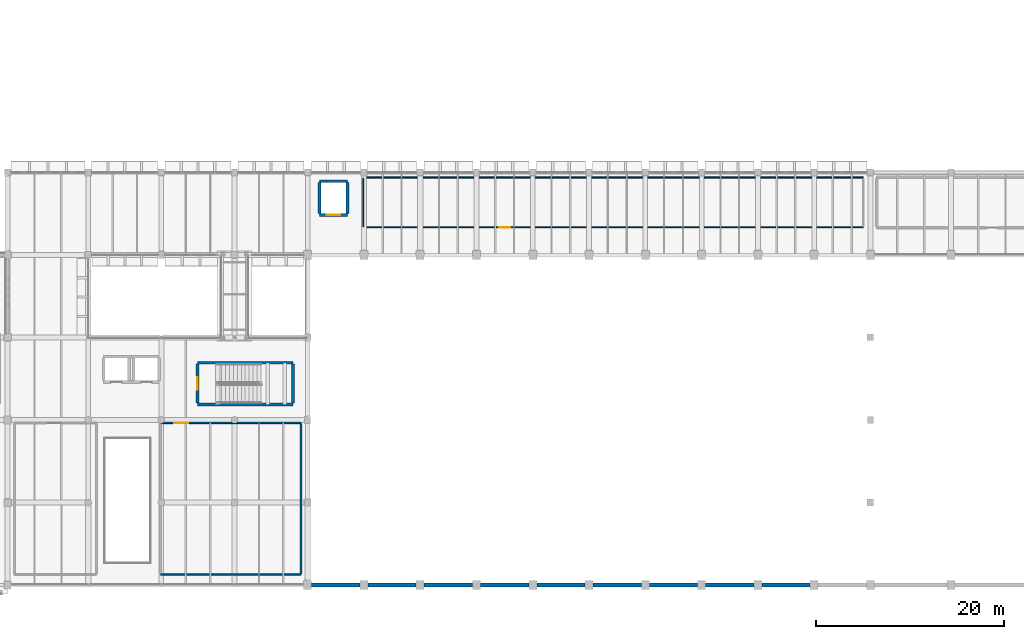
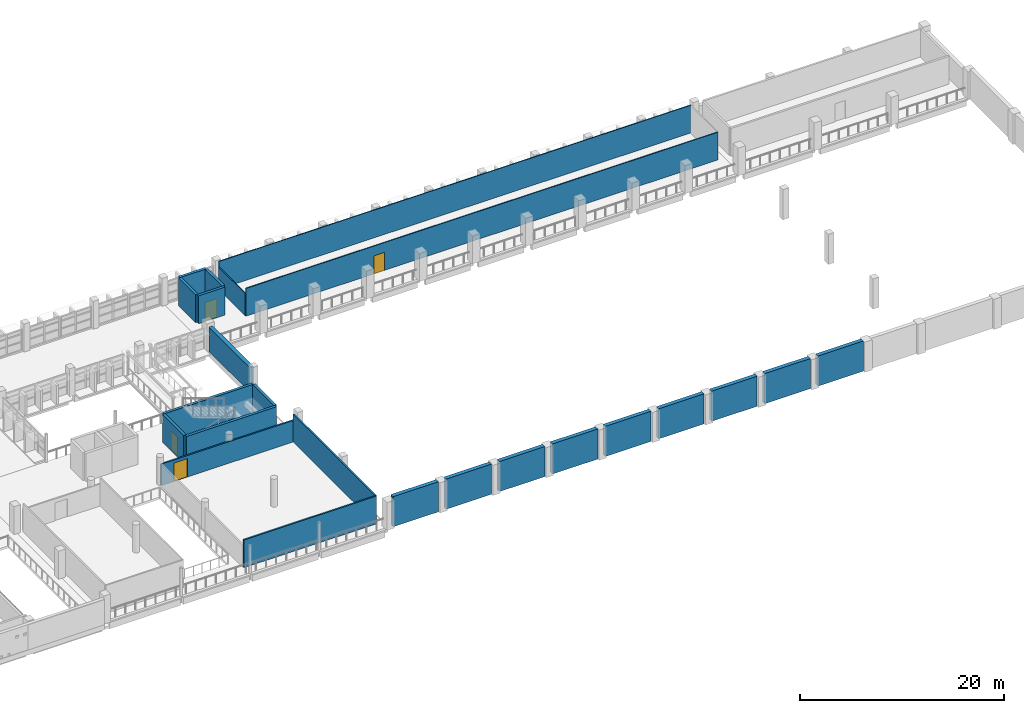
# One storey, part 61 of 75: 24 walls, 4 doors, 4 openings.
"""IFC4 building model written with IfcOpenShell, lengths in metres."""

from ifc_helpers import new_model, si_unit, direction, frame, frame_2d, origin, place, context, subcontext, project, spatial, rectangle, extrude, material, layer, layer_set, type_object, element, fill, save


model = new_model("IFC4")

# Units and contexts
model_context = context("Model", 3, precision=1e-05, world=origin(), true_north=direction((0.0, 1.0)))
body_context = subcontext(model_context, "Body", "Model", "MODEL_VIEW")
ifc_project = project(units=[si_unit("LENGTHUNIT", "METRE"), si_unit("AREAUNIT", "SQUARE_METRE"), si_unit("VOLUMEUNIT", "CUBIC_METRE"), si_unit("PLANEANGLEUNIT", "RADIAN"), si_unit("MASSUNIT", "GRAM", prefix="KILO")], contexts=[model_context])

# Site, building, storey
site_placement = place(None, origin())
site = spatial("IfcSite", under=ifc_project, at=site_placement, CompositionType="ELEMENT")
building_placement = place(site_placement, origin())
building = spatial("IfcBuilding", under=site, at=building_placement, Name="Varnakota Cinema and Media Centre", CompositionType="ELEMENT")
storey_placement = place(building_placement, frame((0.0, 0.0, 8.39990234375)))
storey = spatial("IfcBuildingStorey", under=building, at=storey_placement, Name="L02", CompositionType="ELEMENT", Elevation=8.39990234375)

# Wall
ifc_material_1 = material(Name="Concrete M40", Category="concrete")
ifc_layer_1 = layer(ifc_material_1, 0.300048828125)
ifc_layer_set_1 = layer_set([ifc_layer_1], Name="Concrete M40")
wall_type_1 = type_object("IfcWallType", Name="W-CORE-300", PredefinedType="SHEAR", material=ifc_layer_set_1)
wall_1_placement = place(storey_placement, frame((73.429931640625, 19.25, 0.0), z_axis=(0.0, 0.0, 1.0), x_axis=(-1.0, 0.0, 0.0)))
element("IfcWall", 1, at=wall_1_placement, inside=storey, type_object=wall_type_1, Name="L02 CWALL-ST-04-L02 S wall", PredefinedType="SHEAR", context=body_context, shape_type="SweptSolid", body=[
    extrude(rectangle(XDim=10.179931640625, YDim=0.300048828125, at=frame_2d((5.08984375, 0.0))), origin(), (0.0, 0.0, 1.0), 3.340087890625),
])

# Wall, opening, door
wall_2_placement = place(storey_placement, frame((63.25, 19.39990234375, 0.0), z_axis=(0.0, 0.0, 1.0), x_axis=(0.0, 1.0, 0.0)))
wall_2 = element("IfcWall", 2, at=wall_2_placement, inside=storey, type_object=wall_type_1, Name="L02 CWALL-ST-04-L02 W wall", PredefinedType="SHEAR", context=body_context, shape_type="SweptSolid", body=[
    extrude(rectangle(XDim=4.150146484375, YDim=0.300048828125, at=frame_2d((2.0751953125, 0.0))), origin(), (0.0, 0.0, 1.0), 3.340087890625),
])
opening_1_placement = place(wall_2_placement, frame((1.39990234375, 0.0, 0.0)))
opening_1 = element("IfcOpeningElement", 3, at=opening_1_placement, cuts=wall_2, Name="Opening SD-04", PredefinedType="OPENING", context=body_context, shape_type="SweptSolid", body=[
    extrude(rectangle(XDim=1.35009765625, YDim=2.199951171875, at=frame_2d((0.675048828125, 1.10009765625))), frame((0.0, 0.14990234375, 0.0), z_axis=(0.0, -1.0, 0.0), x_axis=(1.0, 0.0, 0.0)), (0.0, 0.0, 1.0), 0.300048828125),
])
ifc_material_2 = material(Name="Thermally broken anodised aluminium AW-6063", Category="aluminium")
door_type_1 = type_object("IfcDoorType", Name="DR-STAIR-1350x2200", OperationType="NOTDEFINED", PredefinedType="DOOR", material=ifc_material_2)
door_1_placement = place(opening_1_placement, origin())
door_1 = element("IfcDoor", 4, at=door_1_placement, inside=storey, type_object=door_type_1, Name="L02 door SD-04", OperationType="SINGLE_SWING_LEFT", OverallHeight=2.199951171875, OverallWidth=1.35009765625, PredefinedType="DOOR", context=body_context, shape_type="SweptSolid", body=[
    extrude(rectangle(XDim=1.35009765625, YDim=2.199951171875, at=frame_2d((0.675048828125, 1.10009765625))), frame((0.0, 0.02490234375, 0.0), z_axis=(0.0, -1.0, 0.0), x_axis=(1.0, 0.0, 0.0)), (0.0, 0.0, 1.0), 0.050048828125),
])
fill(opening_1, door_1)

# Walls
wall_3_placement = place(storey_placement, frame((63.25, 23.699951171875, 0.0), z_axis=(0.0, 0.0, 1.0), x_axis=(1.0, 0.0, 0.0)))
element("IfcWall", 5, at=wall_3_placement, inside=storey, type_object=wall_type_1, Name="L02 CWALL-ST-04-L02 N wall", PredefinedType="SHEAR", context=body_context, shape_type="SweptSolid", body=[
    extrude(rectangle(XDim=10.179931640625, YDim=0.300048828125, at=frame_2d((5.08984375, 0.0))), origin(), (0.0, 0.0, 1.0), 3.340087890625),
])
wall_4_placement = place(storey_placement, frame((73.429931640625, 23.550048828125, 0.0), z_axis=(0.0, 0.0, 1.0), x_axis=(0.0, -1.0, 0.0)))
element("IfcWall", 6, at=wall_4_placement, inside=storey, type_object=wall_type_1, Name="L02 CWALL-ST-04-L02 E wall", PredefinedType="SHEAR", context=body_context, shape_type="SweptSolid", body=[
    extrude(rectangle(XDim=4.150146484375, YDim=0.300048828125, at=frame_2d((2.0751953125, 0.0))), origin(), (0.0, 0.0, 1.0), 3.340087890625),
])

# Wall, opening, door
wall_5_placement = place(storey_placement, frame((79.25, 39.449951171875, 0.0), z_axis=(0.0, 0.0, 1.0), x_axis=(-1.0, 0.0, 0.0)))
wall_5 = element("IfcWall", 7, at=wall_5_placement, inside=storey, type_object=wall_type_1, Name="L02 LSHAFT-LF-08-L02 S wall", PredefinedType="SHEAR", context=body_context, shape_type="SweptSolid", body=[
    extrude(rectangle(XDim=3.0, YDim=0.300048828125, at=frame_2d((1.5, 0.0))), origin(), (0.0, 0.0, 1.0), 3.340087890625),
])
opening_2_placement = place(wall_5_placement, frame((0.800048828125, 0.0, 0.0)))
opening_2 = element("IfcOpeningElement", 8, at=opening_2_placement, cuts=wall_5, Name="Opening LD-08", PredefinedType="OPENING", context=body_context, shape_type="SweptSolid", body=[
    extrude(rectangle(XDim=1.39990234375, YDim=2.199951171875, at=frame_2d((0.699951171875, 1.10009765625))), frame((0.0, 0.14990234375, 0.0), z_axis=(0.0, -1.0, 0.0), x_axis=(1.0, 0.0, 0.0)), (0.0, 0.0, 1.0), 0.300048828125),
])
ifc_material_3 = material(Name="Thermally broken anodised aluminium AW-6063", Category="aluminium")
door_type_2 = type_object("IfcDoorType", Name="DR-LIFT-1400x2200", OperationType="DOUBLE_DOOR_SLIDING", PredefinedType="DOOR", material=ifc_material_3)
door_2_placement = place(opening_2_placement, origin())
door_2 = element("IfcDoor", 9, at=door_2_placement, inside=storey, type_object=door_type_2, Name="L02 door LD-08", OperationType="DOUBLE_DOOR_SLIDING", OverallHeight=2.199951171875, OverallWidth=1.39990234375, PredefinedType="DOOR", context=body_context, shape_type="SweptSolid", body=[
    extrude(rectangle(XDim=1.39990234375, YDim=2.199951171875, at=frame_2d((0.699951171875, 1.10009765625))), frame((0.0, 0.02490234375, 0.0), z_axis=(0.0, -1.0, 0.0), x_axis=(1.0, 0.0, 0.0)), (0.0, 0.0, 1.0), 0.050048828125),
])
fill(opening_2, door_2)

# Walls
wall_6_placement = place(storey_placement, frame((76.25, 39.60009765625, 0.0), z_axis=(0.0, 0.0, 1.0), x_axis=(0.0, 1.0, 0.0)))
element("IfcWall", 10, at=wall_6_placement, inside=storey, type_object=wall_type_1, Name="L02 LSHAFT-LF-08-L02 W wall", PredefinedType="SHEAR", context=body_context, shape_type="SweptSolid", body=[
    extrude(rectangle(XDim=3.2998046875, YDim=0.300048828125, at=frame_2d((1.64990234375, 0.0))), origin(), (0.0, 0.0, 1.0), 3.340087890625),
])
wall_7_placement = place(storey_placement, frame((76.25, 43.050048828125, 0.0), z_axis=(0.0, 0.0, 1.0), x_axis=(1.0, 0.0, 0.0)))
element("IfcWall", 11, at=wall_7_placement, inside=storey, type_object=wall_type_1, Name="L02 LSHAFT-LF-08-L02 N wall", PredefinedType="SHEAR", context=body_context, shape_type="SweptSolid", body=[
    extrude(rectangle(XDim=3.0, YDim=0.300048828125, at=frame_2d((1.5, 0.0))), origin(), (0.0, 0.0, 1.0), 3.340087890625),
])
wall_8_placement = place(storey_placement, frame((79.25, 42.89990234375, 0.0), z_axis=(0.0, 0.0, 1.0), x_axis=(0.0, -1.0, 0.0)))
element("IfcWall", 12, at=wall_8_placement, inside=storey, type_object=wall_type_1, Name="L02 LSHAFT-LF-08-L02 E wall", PredefinedType="SHEAR", context=body_context, shape_type="SweptSolid", body=[
    extrude(rectangle(XDim=3.2998046875, YDim=0.300048828125, at=frame_2d((1.64990234375, 0.0))), origin(), (0.0, 0.0, 1.0), 3.340087890625),
])
ifc_material_4 = material(Name="Deccan grey granite ashlar", Category="masonry")
ifc_layer_2 = layer(ifc_material_4, 0.43994140625)
ifc_layer_set_2 = layer_set([ifc_layer_2], Name="Deccan grey granite ashlar")
wall_type_2 = type_object("IfcWallType", Name="W-EXT-HALL-440", PredefinedType="SOLIDWALL", material=ifc_layer_set_2)
for number, where, z_axis, x_axis, name in (
    (13, (128.574951171875, 0.0, 0.0), (0.0, 0.0, 1.0), (-1.0, 0.0, 0.0), "L02 exterior wall V1-S-2"),
    (14, (122.574951171875, 0.0, 0.0), (0.0, 0.0, 1.0), (-1.0, 0.0, 0.0), "L02 exterior wall V1-S-3"),
    (15, (116.574951171875, 0.0, 0.0), (0.0, 0.0, 1.0), (-1.0, 0.0, 0.0), "L02 exterior wall V1-S-4"),
    (16, (110.574951171875, 0.0, 0.0), (0.0, 0.0, 1.0), (-1.0, 0.0, 0.0), "L02 exterior wall V1-S-5"),
    (17, (104.574951171875, 0.0, 0.0), (0.0, 0.0, 1.0), (-1.0, 0.0, 0.0), "L02 exterior wall V1-S-6"),
    (18, (98.574951171875, 0.0, 0.0), (0.0, 0.0, 1.0), (-1.0, 0.0, 0.0), "L02 exterior wall V1-S-7"),
    (19, (92.574951171875, 0.0, 0.0), (0.0, 0.0, 1.0), (-1.0, 0.0, 0.0), "L02 exterior wall V1-S-8"),
    (20, (86.574951171875, 0.0, 0.0), (0.0, 0.0, 1.0), (-1.0, 0.0, 0.0), "L02 exterior wall V1-S-9"),
    (21, (80.574951171875, 0.0, 0.0), (0.0, 0.0, 1.0), (-1.0, 0.0, 0.0), "L02 exterior wall V1-S-10"),
):
    element("IfcWall", number, at=place(storey_placement, frame(where, z_axis=z_axis, x_axis=x_axis)), inside=storey, type_object=wall_type_2, Name=name, PredefinedType="SOLIDWALL", context=body_context, shape_type="SweptSolid", body=[
        extrude(rectangle(XDim=5.14990234375, YDim=0.43994140625, at=frame_2d((2.574951171875, 0.0))), origin(), (0.0, 0.0, 1.0), 3.60009765625),
    ])
wall_9_placement = place(storey_placement, frame((75.0, 34.72509765625, 0.0), z_axis=(0.0, 0.0, 1.0), x_axis=(0.0, -1.0, 0.0)))
element("IfcWall", 22, at=wall_9_placement, inside=storey, type_object=wall_type_2, Name="L02 exterior wall V1-CHW-1", PredefinedType="SOLIDWALL", context=body_context, shape_type="SweptSolid", body=[
    extrude(rectangle(XDim=7.97509765625, YDim=0.43994140625, at=frame_2d((3.987548828125, 0.0))), origin(), (0.0, 0.0, 1.0), 2.9150390625),
])

# Wall, opening, door
ifc_material_5 = material(Name="Autoclaved aerated concrete blockwork", Category="masonry")
ifc_layer_3 = layer(ifc_material_5, 0.110107421875)
ifc_layer_set_3 = layer_set([ifc_layer_3], Name="Autoclaved aerated concrete blockwork")
wall_type_3 = type_object("IfcWallType", Name="W-PART-110", PredefinedType="PARTITIONING", material=ifc_layer_set_3)
wall_10_placement = place(storey_placement, frame((134.2548828125, 38.14501953125, 0.0), z_axis=(0.0, 0.0, 1.0), x_axis=(-1.0, 0.0, 0.0)))
wall_10 = element("IfcWall", 23, at=wall_10_placement, inside=storey, type_object=wall_type_3, Name="L02 RWALL-RM-L02-PROJ1 S wall", PredefinedType="PARTITIONING", context=body_context, shape_type="SweptSolid", body=[
    extrude(rectangle(XDim=53.309814453125, YDim=0.110107421875, at=frame_2d((26.65478515625, 0.0))), origin(), (0.0, 0.0, 1.0), 3.320068359375),
])
opening_3_placement = place(wall_10_placement, frame((37.655029296875, 0.0, 0.0)))
opening_3 = element("IfcOpeningElement", 24, at=opening_3_placement, cuts=wall_10, Name="Opening D-080", PredefinedType="OPENING", context=body_context, shape_type="SweptSolid", body=[
    extrude(rectangle(XDim=1.199951171875, YDim=2.14990234375, at=frame_2d((0.60009765625, 1.074951171875))), frame((0.0, 0.05517578125, 0.0), z_axis=(0.0, -1.0, 0.0), x_axis=(1.0, 0.0, 0.0)), (0.0, 0.0, 1.0), 0.110107421875),
])
ifc_material_6 = material(Name="Thermally broken anodised aluminium AW-6063", Category="aluminium")
door_type_3 = type_object("IfcDoorType", Name="DR-STD-1200x2150", OperationType="NOTDEFINED", PredefinedType="DOOR", material=ifc_material_6)
door_3_placement = place(opening_3_placement, origin())
door_3 = element("IfcDoor", 25, at=door_3_placement, inside=storey, type_object=door_type_3, Name="L02 door D-080", OperationType="SINGLE_SWING_RIGHT", OverallHeight=2.14990234375, OverallWidth=1.199951171875, PredefinedType="DOOR", context=body_context, shape_type="SweptSolid", body=[
    extrude(rectangle(XDim=1.199951171875, YDim=2.14990234375, at=frame_2d((0.60009765625, 1.074951171875))), frame((0.0, 0.02490234375, 0.0), z_axis=(0.0, -1.0, 0.0), x_axis=(1.0, 0.0, 0.0)), (0.0, 0.0, 1.0), 0.050048828125),
])
fill(opening_3, door_3)

# Walls
wall_11_placement = place(storey_placement, frame((80.945068359375, 38.199951171875, 0.0), z_axis=(0.0, 0.0, 1.0), x_axis=(0.0, 1.0, 0.0)))
element("IfcWall", 26, at=wall_11_placement, inside=storey, type_object=wall_type_3, Name="L02 RWALL-RM-L02-PROJ1 W wall", PredefinedType="PARTITIONING", context=body_context, shape_type="SweptSolid", body=[
    extrude(rectangle(XDim=5.199951171875, YDim=0.110107421875, at=frame_2d((2.60009765625, 0.0))), origin(), (0.0, 0.0, 1.0), 2.670166015625),
])
wall_12_placement = place(storey_placement, frame((80.945068359375, 43.455078125, 0.0), z_axis=(0.0, 0.0, 1.0), x_axis=(1.0, 0.0, 0.0)))
element("IfcWall", 27, at=wall_12_placement, inside=storey, type_object=wall_type_3, Name="L02 RWALL-RM-L02-PROJ1 N wall", PredefinedType="PARTITIONING", context=body_context, shape_type="SweptSolid", body=[
    extrude(rectangle(XDim=53.309814453125, YDim=0.110107421875, at=frame_2d((26.65478515625, 0.0))), origin(), (0.0, 0.0, 1.0), 3.320068359375),
])
ifc_material_7 = material(Name="Autoclaved aerated concrete blockwork", Category="masonry")
ifc_layer_4 = layer(ifc_material_7, 0.169921875)
ifc_layer_set_4 = layer_set([ifc_layer_4], Name="Autoclaved aerated concrete blockwork")
wall_type_4 = type_object("IfcWallType", Name="W-PART-170", PredefinedType="PARTITIONING", material=ifc_layer_set_4)
wall_13_placement = place(storey_placement, frame((74.284912109375, 1.114990234375, 0.0), z_axis=(0.0, 0.0, 1.0), x_axis=(-1.0, 0.0, 0.0)))
element("IfcWall", 28, at=wall_13_placement, inside=storey, type_object=wall_type_4, Name="L02 RWALL-RM-L02-LIB1 S wall", PredefinedType="PARTITIONING", context=body_context, shape_type="SweptSolid", body=[
    extrude(rectangle(XDim=14.969970703125, YDim=0.169921875, at=frame_2d((7.48486328125, 0.0))), origin(), (0.0, 0.0, 1.0), 3.320068359375),
])

# Wall, opening, door
wall_14_placement = place(storey_placement, frame((59.31494140625, 17.284912109375, 0.0), z_axis=(0.0, 0.0, 1.0), x_axis=(1.0, 0.0, 0.0)))
wall_14 = element("IfcWall", 29, at=wall_14_placement, inside=storey, type_object=wall_type_4, Name="L02 RWALL-RM-L02-LIB1 N wall", PredefinedType="PARTITIONING", context=body_context, shape_type="SweptSolid", body=[
    extrude(rectangle(XDim=14.969970703125, YDim=0.169921875, at=frame_2d((7.48486328125, 0.0))), origin(), (0.0, 0.0, 1.0), 2.570068359375),
])
opening_4_placement = place(wall_14_placement, frame((1.43505859375, 0.0, 0.0)))
opening_4 = element("IfcOpeningElement", 30, at=opening_4_placement, cuts=wall_14, Name="Opening D-078", PredefinedType="OPENING", context=body_context, shape_type="SweptSolid", body=[
    extrude(rectangle(XDim=1.5, YDim=2.199951171875, at=frame_2d((0.75, 1.10009765625))), frame((0.0, 0.0849609375, 0.0), z_axis=(0.0, -1.0, 0.0), x_axis=(1.0, 0.0, 0.0)), (0.0, 0.0, 1.0), 0.169921875),
])
ifc_material_8 = material(Name="Thermally broken anodised aluminium AW-6063", Category="aluminium")
door_type_4 = type_object("IfcDoorType", Name="DR-STD-1500x2200", OperationType="DOUBLE_DOOR_SINGLE_SWING", PredefinedType="DOOR", material=ifc_material_8)
door_4_placement = place(opening_4_placement, origin())
door_4 = element("IfcDoor", 31, at=door_4_placement, inside=storey, type_object=door_type_4, Name="L02 door D-078", OperationType="DOUBLE_DOOR_SINGLE_SWING", OverallHeight=2.199951171875, OverallWidth=1.5, PredefinedType="DOOR", context=body_context, shape_type="SweptSolid", body=[
    extrude(rectangle(XDim=1.5, YDim=2.199951171875, at=frame_2d((0.75, 1.10009765625))), frame((0.0, 0.02490234375, 0.0), z_axis=(0.0, -1.0, 0.0), x_axis=(1.0, 0.0, 0.0)), (0.0, 0.0, 1.0), 0.050048828125),
])
fill(opening_4, door_4)

# Wall
wall_15_placement = place(storey_placement, frame((74.284912109375, 17.199951171875, 0.0), z_axis=(0.0, 0.0, 1.0), x_axis=(0.0, -1.0, 0.0)))
element("IfcWall", 32, at=wall_15_placement, inside=storey, type_object=wall_type_4, Name="L02 RWALL-RM-L02-LIB1 E wall", PredefinedType="PARTITIONING", context=body_context, shape_type="SweptSolid", body=[
    extrude(rectangle(XDim=16.0, YDim=0.169921875, at=frame_2d((8.0, 0.0))), origin(), (0.0, 0.0, 1.0), 3.320068359375),
])

save(model, "model.ifc")
